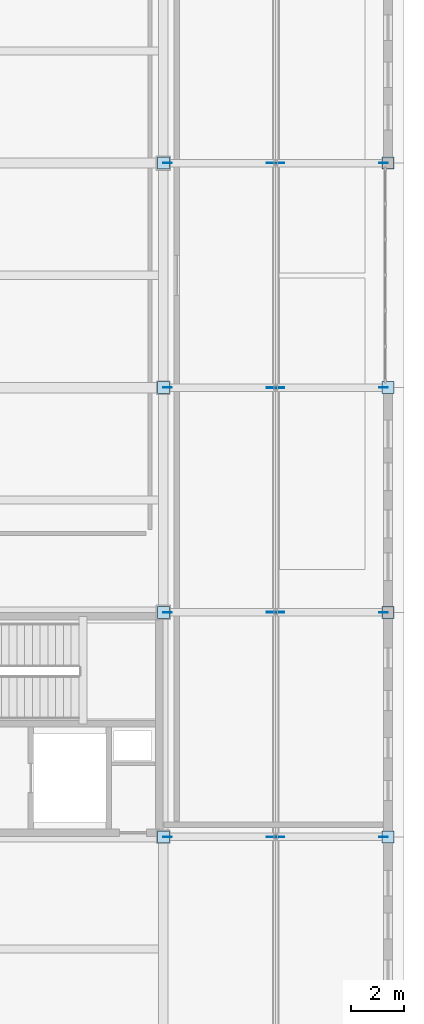
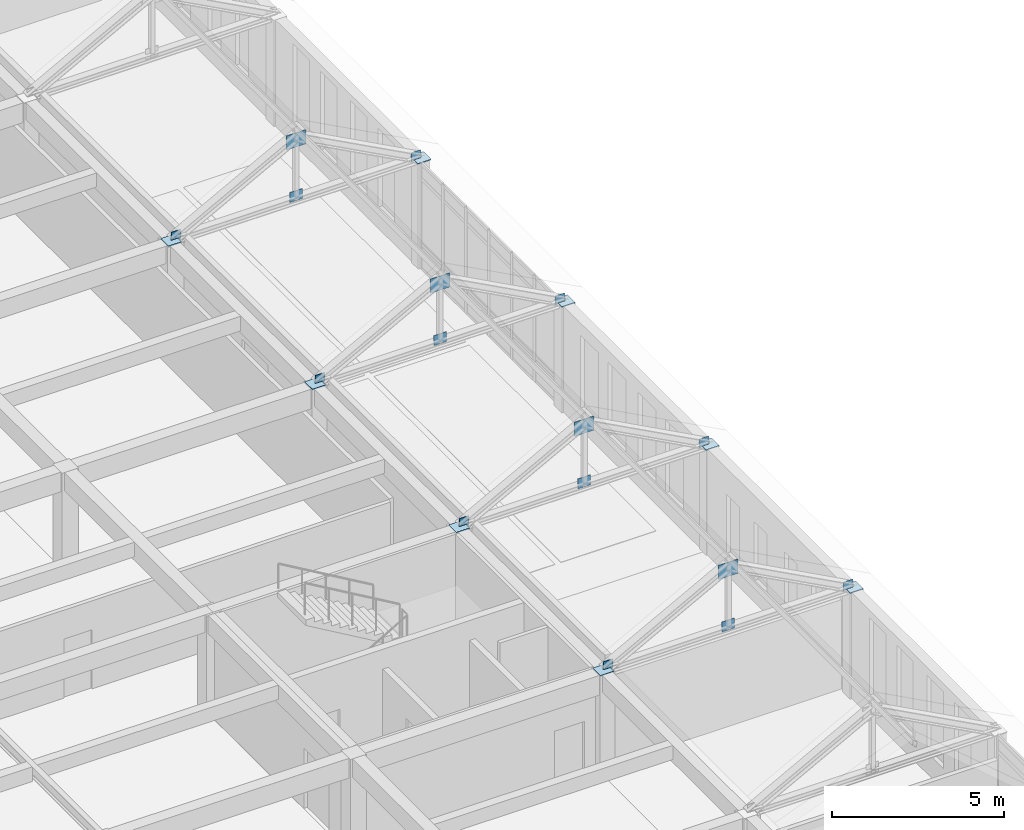
# One storey, part 24 of 36: 24 plates.
"""IFC4 building model written with IfcOpenShell, lengths in metres."""

from ifc_helpers import new_model, si_unit, direction, frame, origin, origin_2d, place, context, subcontext, project, spatial, rectangle, extrude, material, layer, layer_set, type_object, element, save


model = new_model("IFC4")

# Units and contexts
model_context = context("Model", 3, precision=1e-05, world=origin(), true_north=direction((0.0, 1.0)))
body_context = subcontext(model_context, "Body", "Model", "MODEL_VIEW")
ifc_project = project(units=[si_unit("LENGTHUNIT", "METRE"), si_unit("AREAUNIT", "SQUARE_METRE"), si_unit("VOLUMEUNIT", "CUBIC_METRE"), si_unit("PLANEANGLEUNIT", "RADIAN"), si_unit("MASSUNIT", "GRAM", prefix="KILO")], contexts=[model_context])

# Site, building, storey
site_placement = place(None, origin())
site = spatial("IfcSite", under=ifc_project, at=site_placement, CompositionType="ELEMENT")
building_placement = place(site_placement, origin())
building = spatial("IfcBuilding", under=site, at=building_placement, Name="Kveldsbrygga Polytechnic", CompositionType="ELEMENT")
storey_placement = place(building_placement, frame((0.0, 0.0, 22.10009765625)))
storey = spatial("IfcBuildingStorey", under=building, at=storey_placement, Name="L05", CompositionType="ELEMENT", Elevation=22.10009765625)

# Plates
ifc_material = material(Name="Steel S355", Category="steel")
ifc_layer_1 = layer(ifc_material, 0.030029296875)
ifc_layer_set_1 = layer_set([ifc_layer_1], Name="Steel S355")
plate_type_1 = type_object("IfcPlateType", Name="CAP-BEAR-450", PredefinedType="SHEET", material=ifc_layer_set_1)
for number, where, z_axis, x_axis, name in (
    (1, (159.60009765625, 33.60009765625, 3.75), (0.0, 0.0, 1.0), (1.0, 0.0, 0.0), "Truss Bearing Plate V4E6-T03-A"),
    (2, (168.0, 33.60009765625, 3.75), (0.0, 0.0, 1.0), (1.0, 0.0, 0.0), "Truss Bearing Plate V4E6-T03-B"),
    (3, (159.60009765625, 42.0, 3.75), (0.0, 0.0, 1.0), (1.0, 0.0, 0.0), "Truss Bearing Plate V4E6-T04-A"),
    (4, (168.0, 42.0, 3.75), (0.0, 0.0, 1.0), (1.0, 0.0, 0.0), "Truss Bearing Plate V4E6-T04-B"),
    (5, (159.60009765625, 50.39990234375, 3.75), (0.0, 0.0, 1.0), (1.0, 0.0, 0.0), "Truss Bearing Plate V4E6-T05-A"),
    (6, (168.0, 50.39990234375, 3.75), (0.0, 0.0, 1.0), (1.0, 0.0, 0.0), "Truss Bearing Plate V4E6-T05-B"),
    (7, (159.60009765625, 58.800048828125, 3.75), (0.0, 0.0, 1.0), (1.0, 0.0, 0.0), "Truss Bearing Plate V4E6-T06-A"),
    (8, (168.0, 58.800048828125, 3.75), (0.0, 0.0, 1.0), (1.0, 0.0, 0.0), "Truss Bearing Plate V4E6-T06-B"),
):
    element("IfcPlate", number, at=place(storey_placement, frame(where, z_axis=z_axis, x_axis=x_axis)), inside=storey, type_object=plate_type_1, Name=name, PredefinedType="SHEET", context=body_context, shape_type="SweptSolid", body=[
        extrude(rectangle(XDim=0.449951171875, YDim=0.449951171875, at=origin_2d()), origin(), (0.0, 0.0, 1.0), 0.030029296875),
    ])
ifc_layer_2 = layer(ifc_material, 0.02490234375)
ifc_layer_set_2 = layer_set([ifc_layer_2], Name="Steel S355")
plate_type_2 = type_object("IfcPlateType", Name="GUS-APEX-650", PredefinedType="SHEET", material=ifc_layer_set_2)
for number, where, z_axis, x_axis, name in (
    (9, (163.800048828125, 33.60009765625, 5.6298828125), (0.0, 0.0, 1.0), (1.0, 0.0, 0.0), "Truss Gusset Plate V4E6-T03-GP-1"),
    (10, (163.800048828125, 42.0, 5.6298828125), (0.0, 0.0, 1.0), (1.0, 0.0, 0.0), "Truss Gusset Plate V4E6-T04-GP-1"),
    (11, (163.800048828125, 50.39990234375, 5.6298828125), (0.0, 0.0, 1.0), (1.0, 0.0, 0.0), "Truss Gusset Plate V4E6-T05-GP-1"),
    (12, (163.800048828125, 58.800048828125, 5.6298828125), (0.0, 0.0, 1.0), (1.0, 0.0, 0.0), "Truss Gusset Plate V4E6-T06-GP-1"),
):
    element("IfcPlate", number, at=place(storey_placement, frame(where, z_axis=z_axis, x_axis=x_axis)), inside=storey, type_object=plate_type_2, Name=name, PredefinedType="SHEET", context=body_context, shape_type="SweptSolid", body=[
        extrude(rectangle(XDim=0.64990234375, YDim=0.02490234375, at=origin_2d()), origin(), (0.0, 0.0, 1.0), 0.5),
    ])
ifc_layer_3 = layer(ifc_material, 0.01806640625)
ifc_layer_set_3 = layer_set([ifc_layer_3], Name="Steel S355")
plate_type_3 = type_object("IfcPlateType", Name="GUS-BRACE-320", PredefinedType="SHEET", material=ifc_layer_set_3)
for number, where, z_axis, x_axis, name in (
    (13, (159.760009765625, 33.60009765625, 3.73974609375), (0.0, 0.0, 1.0), (1.0, 0.0, 0.0), "Truss Eaves Node Gusset V4E6-T03-EGP-A"),
    (14, (167.840087890625, 33.60009765625, 3.73974609375), (0.0, 0.0, 1.0), (1.0, 0.0, 0.0), "Truss Eaves Node Gusset V4E6-T03-EGP-B"),
    (15, (159.760009765625, 42.0, 3.73974609375), (0.0, 0.0, 1.0), (1.0, 0.0, 0.0), "Truss Eaves Node Gusset V4E6-T04-EGP-A"),
    (16, (167.840087890625, 42.0, 3.73974609375), (0.0, 0.0, 1.0), (1.0, 0.0, 0.0), "Truss Eaves Node Gusset V4E6-T04-EGP-B"),
    (17, (159.760009765625, 50.39990234375, 3.73974609375), (0.0, 0.0, 1.0), (1.0, 0.0, 0.0), "Truss Eaves Node Gusset V4E6-T05-EGP-A"),
    (18, (167.840087890625, 50.39990234375, 3.73974609375), (0.0, 0.0, 1.0), (1.0, 0.0, 0.0), "Truss Eaves Node Gusset V4E6-T05-EGP-B"),
    (19, (159.760009765625, 58.800048828125, 3.73974609375), (0.0, 0.0, 1.0), (1.0, 0.0, 0.0), "Truss Eaves Node Gusset V4E6-T06-EGP-A"),
    (20, (167.840087890625, 58.800048828125, 3.73974609375), (0.0, 0.0, 1.0), (1.0, 0.0, 0.0), "Truss Eaves Node Gusset V4E6-T06-EGP-B"),
):
    element("IfcPlate", number, at=place(storey_placement, frame(where, z_axis=z_axis, x_axis=x_axis)), inside=storey, type_object=plate_type_3, Name=name, PredefinedType="SHEET", context=body_context, shape_type="SweptSolid", body=[
        extrude(rectangle(XDim=0.320068359375, YDim=0.01806640625, at=origin_2d()), origin(), (0.0, 0.0, 1.0), 0.320068359375),
    ])
ifc_layer_4 = layer(ifc_material, 0.02001953125)
ifc_layer_set_4 = layer_set([ifc_layer_4], Name="Steel S355")
plate_type_4 = type_object("IfcPlateType", Name="GUS-LECT-420", PredefinedType="SHEET", material=ifc_layer_set_4)
for number, where, z_axis, x_axis, name in (
    (21, (163.800048828125, 33.60009765625, 3.724853515625), (0.0, 0.0, 1.0), (1.0, 0.0, 0.0), "Truss Bottom-Chord Node Gusset V4E6-T03-BGP-1"),
    (22, (163.800048828125, 42.0, 3.724853515625), (0.0, 0.0, 1.0), (1.0, 0.0, 0.0), "Truss Bottom-Chord Node Gusset V4E6-T04-BGP-1"),
    (23, (163.800048828125, 50.39990234375, 3.724853515625), (0.0, 0.0, 1.0), (1.0, 0.0, 0.0), "Truss Bottom-Chord Node Gusset V4E6-T05-BGP-1"),
    (24, (163.800048828125, 58.800048828125, 3.724853515625), (0.0, 0.0, 1.0), (1.0, 0.0, 0.0), "Truss Bottom-Chord Node Gusset V4E6-T06-BGP-1"),
):
    element("IfcPlate", number, at=place(storey_placement, frame(where, z_axis=z_axis, x_axis=x_axis)), inside=storey, type_object=plate_type_4, Name=name, PredefinedType="SHEET", context=body_context, shape_type="SweptSolid", body=[
        extrude(rectangle(XDim=0.419921875, YDim=0.02001953125, at=origin_2d()), origin(), (0.0, 0.0, 1.0), 0.35009765625),
    ])

save(model, "model.ifc")
